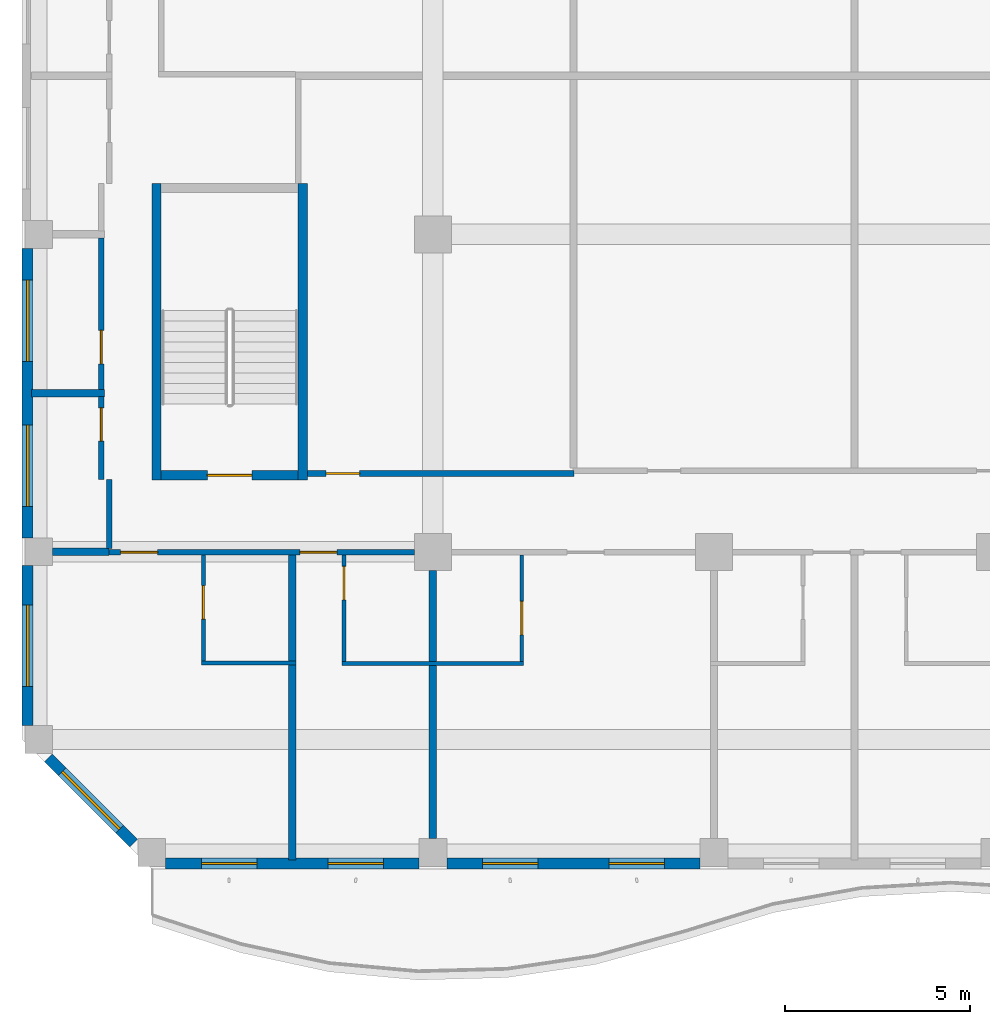
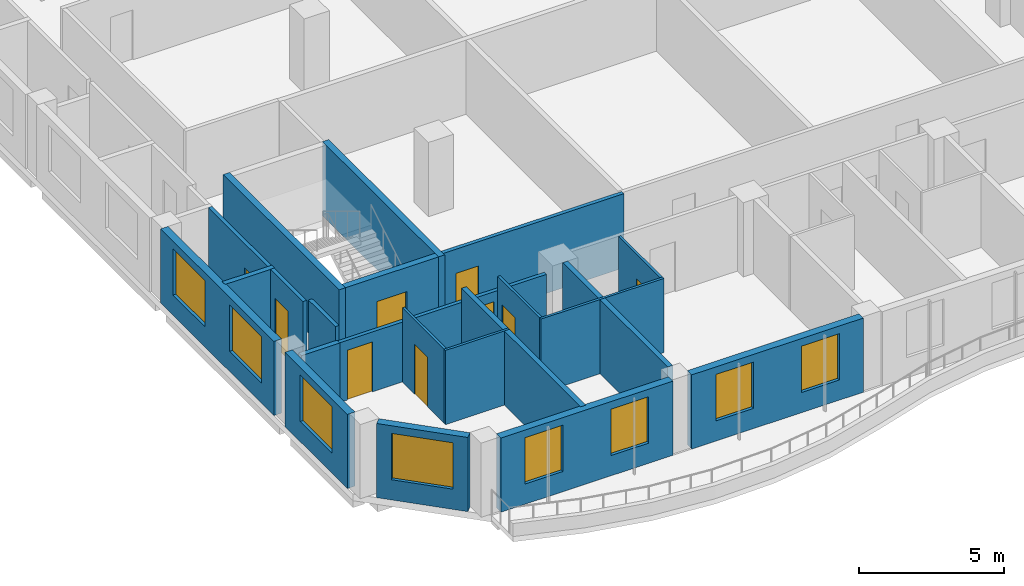
# One storey, part 2 of 22: 24 walls, 9 doors, 8 windows, 17 openings.
"""IFC4 building model written with IfcOpenShell, lengths in metres."""

import ifcopenshell
import ifcopenshell.guid

model = None  # the IFC model being written
_history = None  # IfcOwnerHistory: only IFC2X3 demands one
_inside = {}  # id of a spatial element -> (the spatial element, [elements in it])
_under = {}  # id of a project, library or spatial element -> (it, [spatial elements below it])
_declared = {}  # id of a project -> (the project, [libraries it declares])
_typed = {}  # id of a type object -> (the type object, [elements of that type])
_made_of = {}  # id of a material, layer set ... -> (it, [elements and type objects made of it])


def new_model(schema):
    """Start an empty IFC model of exactly this schema.

    Asked for "IFC4X3", IfcOpenShell would pick the latest addendum, in which some entities
    have other attributes; the version numbers below select the first issue.
    IFC2X3 requires an IfcOwnerHistory on every rooted entity: one is made here for all.
    """
    global model, _history
    if schema == "IFC4X3":
        model = ifcopenshell.file(schema_version=(4, 3, 0, 0))
    else:
        model = ifcopenshell.file(schema=schema)
    _inside.clear()
    _under.clear()
    _declared.clear()
    _typed.clear()
    _made_of.clear()
    _history = None
    if model.schema == "IFC2X3":
        org = make("IfcOrganization", Name="unknown")
        user = make(
            "IfcPersonAndOrganization",
            ThePerson=make("IfcPerson", FamilyName="unknown"),
            TheOrganization=org,
        )
        app = make(
            "IfcApplication",
            ApplicationDeveloper=org,
            Version="unknown",
            ApplicationFullName="unknown",
            ApplicationIdentifier="unknown",
        )
        _history = make(
            "IfcOwnerHistory",
            OwningUser=user,
            OwningApplication=app,
            ChangeAction="ADDED",
            CreationDate=0,
        )
    return model


def make(cls, **values):
    """One entity of the class cls with the attributes given. An attribute that is None is left unset."""
    return model.create_entity(
        cls, **{name: value for name, value in values.items() if value is not None}
    )


def rooted(cls, **values):
    """An entity with a GlobalId (a new one), such as an element, a storey or a relation."""
    return make(cls, GlobalId=ifcopenshell.guid.new(), OwnerHistory=_history, **values)


def si_unit(unit_type, name, prefix=None):
    """IfcSIUnit, for example si_unit("LENGTHUNIT", "METRE", prefix="MILLI")."""
    return make("IfcSIUnit", UnitType=unit_type, Prefix=prefix, Name=name)


def assignment(units):
    """IfcUnitAssignment: the units of a project."""
    return None if units is None else make("IfcUnitAssignment", Units=units)


def point(xyz):
    """IfcCartesianPoint."""
    return None if xyz is None else make("IfcCartesianPoint", Coordinates=xyz)


def direction(xyz):
    """IfcDirection."""
    return None if xyz is None else make("IfcDirection", DirectionRatios=xyz)


def frame(location, z_axis=None, x_axis=None):
    """IfcAxis2Placement3D, a coordinate frame: its origin and axes. An axis left out is left unset."""
    return make(
        "IfcAxis2Placement3D",
        Location=point(location),
        Axis=direction(z_axis),
        RefDirection=direction(x_axis),
    )


def frame_2d(location, x_axis=None):
    """IfcAxis2Placement2D, a coordinate frame in the plane: its origin and x axis."""
    return make(
        "IfcAxis2Placement2D", Location=point(location), RefDirection=direction(x_axis)
    )


def origin():
    """The frame at (0, 0, 0) with its axes left unset."""
    return frame((0.0, 0.0, 0.0))


def place(relative_to, where):
    """IfcLocalPlacement: puts the frame where relative to a parent placement (None: the world)."""
    return make(
        "IfcLocalPlacement", PlacementRelTo=relative_to, RelativePlacement=where
    )


def context(
    kind, dimensions, precision=None, world=None, true_north=None, identifier=None
):
    """IfcGeometricRepresentationContext, for example the 3D "Model" context."""
    return make(
        "IfcGeometricRepresentationContext",
        ContextIdentifier=identifier,
        ContextType=kind,
        CoordinateSpaceDimension=dimensions,
        Precision=precision,
        WorldCoordinateSystem=world,
        TrueNorth=true_north,
    )


def subcontext(parent, identifier, kind, view, scale=None):
    """IfcGeometricRepresentationSubContext, for example "Body" below "Model"."""
    return make(
        "IfcGeometricRepresentationSubContext",
        ContextIdentifier=identifier,
        ContextType=kind,
        ParentContext=parent,
        TargetScale=scale,
        TargetView=view,
    )


def project(units=None, contexts=None):
    """IfcProject with its units and contexts."""
    return rooted(
        "IfcProject",
        Name="project",
        RepresentationContexts=contexts,
        UnitsInContext=assignment(units),
    )


def spatial(cls, under=None, at=None, **own):
    """A site, building, storey or space (cls), placed at a placement, below another one or the project."""
    s = rooted(cls, ObjectPlacement=at, **own)
    if under is not None:
        _under.setdefault(under.id(), (under, []))[1].append(s)
    return s


def profile(cls, at=None, kind="AREA", **sizes):
    """A parametric profile (cls). Its sizes go by their IFC names, for example OverallWidth=200.0."""
    return make(cls, ProfileType=kind, Position=at, **sizes)


def rectangle(**sizes):
    """IfcRectangleProfileDef."""
    return profile("IfcRectangleProfileDef", **sizes)


def extrude(swept, where, along, depth):
    """IfcExtrudedAreaSolid: the profile swept, set in the frame where, extruded along a direction by depth."""
    return make(
        "IfcExtrudedAreaSolid",
        SweptArea=swept,
        Position=where,
        ExtrudedDirection=direction(along),
        Depth=depth,
    )


def shape(context_of_items, identifier, shape_type, items):
    """IfcShapeRepresentation: the items that make up one representation, for example the "Body"."""
    return make(
        "IfcShapeRepresentation",
        ContextOfItems=context_of_items,
        RepresentationIdentifier=identifier,
        RepresentationType=shape_type,
        Items=items,
    )


def source(mapping_origin, context_of_items, identifier, shape_type, items):
    """IfcRepresentationMap: a shape defined once, which mapped items show again and again."""
    return make(
        "IfcRepresentationMap",
        MappingOrigin=mapping_origin,
        MappedRepresentation=shape(context_of_items, identifier, shape_type, items),
    )


def transform(
    local_origin,
    x_axis=None,
    y_axis=None,
    z_axis=None,
    scale=None,
    scale2=None,
    scale3=None,
    uniform=True,
):
    """IfcCartesianTransformationOperator3D, or its non-uniform kind. x_axis, y_axis, z_axis: its Axis1, 2, 3."""
    if uniform:
        return make(
            "IfcCartesianTransformationOperator3D",
            Axis1=direction(x_axis),
            Axis2=direction(y_axis),
            LocalOrigin=point(local_origin),
            Scale=scale,
            Axis3=direction(z_axis),
        )
    return make(
        "IfcCartesianTransformationOperator3DnonUniform",
        Axis1=direction(x_axis),
        Axis2=direction(y_axis),
        LocalOrigin=point(local_origin),
        Scale=scale,
        Axis3=direction(z_axis),
        Scale2=scale2,
        Scale3=scale3,
    )


def mapped(mapping_source, mapping_target):
    """IfcMappedItem: shows the shape of a source again, moved by a transform."""
    return make(
        "IfcMappedItem", MappingSource=mapping_source, MappingTarget=mapping_target
    )


def material(Name=None, Category=None):
    """IfcMaterial."""
    return make("IfcMaterial", Name=Name, Category=Category)


def layer(
    of_material, thickness, ventilated=None, Name=None, Category=None, Priority=None
):
    """IfcMaterialLayer: one layer of a wall or slab, of a material (None: an air gap)."""
    return make(
        "IfcMaterialLayer",
        Material=of_material,
        LayerThickness=thickness,
        IsVentilated=ventilated,
        Name=Name,
        Category=Category,
        Priority=Priority,
    )


def layer_set(layers, Name=None):
    """IfcMaterialLayerSet."""
    return make("IfcMaterialLayerSet", MaterialLayers=layers, LayerSetName=Name)


def made_of(thing, what):
    """Note that an element or type object is made of a material, layer set ...; save() writes the relation."""
    if what is not None:
        _made_of.setdefault(what.id(), (what, []))[1].append(thing)
    return thing


def type_object(cls, material=None, **own):
    """A type object (cls), such as IfcWallType, which elements share."""
    return made_of(rooted(cls, **own), material)


def element(
    cls,
    number,
    at=None,
    inside=None,
    cuts=None,
    type_object=None,
    material=None,
    context=None,
    identifier="Body",
    shape_type=None,
    held_by="IfcProductDefinitionShape",
    body=None,
    shapes=None,
    **own,
):
    """One element of the class cls, such as IfcWall. Its Tag is "e" and its number.

    at: its placement. inside: the storey or other place that contains it. cuts: it is an
    opening in that element (IfcRelVoidsElement). A single representation is given by context,
    identifier, shape_type and body (its items); several are given by shapes. held_by: the class
    of the entity that holds the representations. save() writes the other relations.
    """
    e = rooted(cls, Tag="e%d" % number, ObjectPlacement=at, **own)
    if body is not None:
        shapes = [shape(context, identifier, shape_type, body)]
    if shapes is not None:
        e.Representation = make(held_by, Representations=shapes)
    if inside is not None:
        _inside.setdefault(inside.id(), (inside, []))[1].append(e)
    if cuts is not None:
        rooted(
            "IfcRelVoidsElement", RelatingBuildingElement=cuts, RelatedOpeningElement=e
        )
    if type_object is not None:
        _typed.setdefault(type_object.id(), (type_object, []))[1].append(e)
    return made_of(e, material)


def fill(opening, filler):
    """IfcRelFillsElement: the door or window that sits in an opening."""
    return rooted(
        "IfcRelFillsElement",
        RelatingOpeningElement=opening,
        RelatedBuildingElement=filler,
    )


def aggregate(whole, parts):
    """IfcRelAggregates: a whole, such as a stair, and the parts it consists of."""
    return rooted("IfcRelAggregates", RelatingObject=whole, RelatedObjects=parts)


def save(model, path):
    """Write the relations noted so far, then the file.

    IfcRelAggregates (storeys below a building ...), IfcRelContainedInSpatialStructure (elements
    in a storey), IfcRelDefinesByType, IfcRelAssociatesMaterial and IfcRelDeclares: one each for
    every whole, place, type object, material and project.
    """
    for whole, parts in _under.values():
        aggregate(whole, parts)
    for where, things in _inside.values():
        rooted(
            "IfcRelContainedInSpatialStructure",
            RelatedElements=things,
            RelatingStructure=where,
        )
    for kind, things in _typed.values():
        rooted("IfcRelDefinesByType", RelatedObjects=things, RelatingType=kind)
    for what, things in _made_of.values():
        rooted("IfcRelAssociatesMaterial", RelatedObjects=things, RelatingMaterial=what)
    for by, libraries in _declared.values():
        rooted("IfcRelDeclares", RelatingContext=by, RelatedDefinitions=libraries)
    model.write(path)


model = new_model("IFC4")

# Units and contexts
model_context = context("Model", 3, precision=1e-05, world=origin(), true_north=direction((0.0, 1.0)))
body_context = subcontext(model_context, "Body", "Model", "MODEL_VIEW")
ifc_project = project(units=[si_unit("LENGTHUNIT", "METRE"), si_unit("AREAUNIT", "SQUARE_METRE"), si_unit("VOLUMEUNIT", "CUBIC_METRE"), si_unit("PLANEANGLEUNIT", "RADIAN"), si_unit("MASSUNIT", "GRAM", prefix="KILO")], contexts=[model_context])

# Site, building, storey
site_placement = place(None, origin())
site = spatial("IfcSite", under=ifc_project, at=site_placement, CompositionType="ELEMENT")
building_placement = place(site_placement, origin())
building = spatial("IfcBuilding", under=site, at=building_placement, Name="Kilnfold Tower and Market Hall", CompositionType="ELEMENT")
storey_placement = place(building_placement, frame((0.0, 0.0, 213.5)))
storey = spatial("IfcBuildingStorey", under=building, at=storey_placement, Name="L52", CompositionType="ELEMENT", Elevation=213.5)

# Wall, openings, doors
ifc_material_1 = material(Name="Gypsum board on steel studs", Category="steel")
ifc_layer_1 = layer(ifc_material_1, 0.14990234375)
ifc_layer_set_1 = layer_set([ifc_layer_1], Name="Gypsum board on steel studs")
wall_type_1 = type_object("IfcWallType", Name="WALL CORRIDOR 150", PredefinedType="PARTITIONING", material=ifc_layer_set_1)
wall_1_placement = place(storey_placement, frame((-18.89990234375, -17.699951171875, 0.0), z_axis=(0.0, 0.0, 1.0), x_axis=(1.0, 0.0, 0.0)))
wall_1 = element("IfcWall", 1, at=wall_1_placement, inside=storey, type_object=wall_type_1, Name="Partition LY31.1", PredefinedType="PARTITIONING", context=body_context, shape_type="SweptSolid", body=[
    extrude(rectangle(XDim=8.23291015625, YDim=0.14990234375, at=frame_2d((4.116455078125, 0.0))), origin(), (0.0, 0.0, 1.0), 2.52001953125),
])
opening_1_placement = place(wall_1_placement, frame((0.304931640625, 0.0, 0.0)))
opening_1 = element("IfcOpeningElement", 2, at=opening_1_placement, cuts=wall_1, Name="Opening D1", PredefinedType="OPENING", context=body_context, shape_type="SweptSolid", body=[
    extrude(rectangle(XDim=1.0, YDim=2.10009765625, at=frame_2d((0.5, 1.050048828125))), frame((0.0, 0.0849609375, 0.0), z_axis=(0.0, -1.0, 0.0), x_axis=(1.0, 0.0, 0.0)), (0.0, 0.0, 1.0), 0.169921875),
])
opening_2_placement = place(wall_1_placement, frame((5.14306640625, 0.0, 0.0)))
opening_2 = element("IfcOpeningElement", 3, at=opening_2_placement, cuts=wall_1, Name="Opening D1", PredefinedType="OPENING", context=body_context, shape_type="SweptSolid", body=[
    extrude(rectangle(XDim=1.0, YDim=2.10009765625, at=frame_2d((0.5, 1.050048828125))), frame((0.0, 0.0849609375, 0.0), z_axis=(0.0, -1.0, 0.0), x_axis=(1.0, 0.0, 0.0)), (0.0, 0.0, 1.0), 0.169921875),
])
ifc_material_2 = material(Name="Timber veneer door leaf in steel frame", Category="steel")
door_type_1 = type_object("IfcDoorType", Name="DOOR ENTRY 1000 X2100", OperationType="NOTDEFINED", PredefinedType="DOOR", material=ifc_material_2)
door_1_placement = place(opening_1_placement, origin())
door_1 = element("IfcDoor", 4, at=door_1_placement, inside=storey, type_object=door_type_1, Name="Door D1", OperationType="SINGLE_SWING_RIGHT", OverallHeight=2.10009765625, OverallWidth=1.0, PredefinedType="DOOR", context=body_context, shape_type="SweptSolid", body=[
    extrude(rectangle(XDim=1.0, YDim=2.10009765625, at=frame_2d((0.5, 1.050048828125))), frame((0.0, 0.02490234375, 0.0), z_axis=(0.0, -1.0, 0.0), x_axis=(1.0, 0.0, 0.0)), (0.0, 0.0, 1.0), 0.050048828125),
])
fill(opening_1, door_1)
door_2_placement = place(opening_2_placement, origin())
door_2 = element("IfcDoor", 5, at=door_2_placement, inside=storey, type_object=door_type_1, Name="Door D1", OperationType="SINGLE_SWING_RIGHT", OverallHeight=2.10009765625, OverallWidth=1.0, PredefinedType="DOOR", context=body_context, shape_type="SweptSolid", body=[
    extrude(rectangle(XDim=1.0, YDim=2.10009765625, at=frame_2d((0.5, 1.050048828125))), frame((0.0, 0.02490234375, 0.0), z_axis=(0.0, -1.0, 0.0), x_axis=(1.0, 0.0, 0.0)), (0.0, 0.0, 1.0), 0.050048828125),
])
fill(opening_2, door_2)

# Wall
wall_2_placement = place(storey_placement, frame((-18.89990234375, -17.597900390625, 0.0), z_axis=(0.0, 0.0, 1.0), x_axis=(0.0, 1.0, 0.0)))
element("IfcWall", 6, at=wall_2_placement, inside=storey, type_object=wall_type_1, Name="Partition LY31.9", PredefinedType="PARTITIONING", context=body_context, shape_type="SweptSolid", body=[
    extrude(rectangle(XDim=1.85498046875, YDim=0.14990234375, at=frame_2d((0.927490234375, 0.0))), origin(), (0.0, 0.0, 1.0), 3.1201171875),
])

# Wall, opening, door
wall_3_placement = place(storey_placement, frame((-19.113037109375, -15.742919921875, 0.0), z_axis=(0.0, 0.0, 1.0), x_axis=(0.0, 1.0, 0.0)))
wall_3 = element("IfcWall", 7, at=wall_3_placement, inside=storey, type_object=wall_type_1, Name="Partition LY31.10", PredefinedType="PARTITIONING", context=body_context, shape_type="SweptSolid", body=[
    extrude(rectangle(XDim=2.246826171875, YDim=0.14990234375, at=frame_2d((1.12353515625, 0.0))), origin(), (0.0, 0.0, 1.0), 3.1201171875),
])
opening_3_placement = place(wall_3_placement, frame((1.0419921875, 0.0, 0.0)))
opening_3 = element("IfcOpeningElement", 8, at=opening_3_placement, cuts=wall_3, Name="Opening D2", PredefinedType="OPENING", context=body_context, shape_type="SweptSolid", body=[
    extrude(rectangle(XDim=0.89990234375, YDim=2.10009765625, at=frame_2d((0.449951171875, 1.050048828125))), frame((0.0, 0.0849609375, 0.0), z_axis=(0.0, -1.0, 0.0), x_axis=(1.0, 0.0, 0.0)), (0.0, 0.0, 1.0), 0.169921875),
])
ifc_material_3 = material(Name="Timber veneer door leaf in steel frame", Category="steel")
door_type_2 = type_object("IfcDoorType", Name="DOOR ROOM 900 X2100", OperationType="NOTDEFINED", PredefinedType="DOOR", material=ifc_material_3)
door_3_placement = place(opening_3_placement, origin())
door_3 = element("IfcDoor", 9, at=door_3_placement, inside=storey, type_object=door_type_2, Name="Door D2", OperationType="SINGLE_SWING_RIGHT", OverallHeight=2.10009765625, OverallWidth=0.89990234375, PredefinedType="DOOR", context=body_context, shape_type="SweptSolid", body=[
    extrude(rectangle(XDim=0.89990234375, YDim=2.10009765625, at=frame_2d((0.449951171875, 1.050048828125))), frame((0.0, 0.02490234375, 0.0), z_axis=(0.0, -1.0, 0.0), x_axis=(1.0, 0.0, 0.0)), (0.0, 0.0, 1.0), 0.050048828125),
])
fill(opening_3, door_3)

wall_4_placement = place(storey_placement, frame((-19.113037109375, -13.31591796875, 0.0), z_axis=(0.0, 0.0, 1.0), x_axis=(0.0, 1.0, 0.0)))
wall_4 = element("IfcWall", 10, at=wall_4_placement, inside=storey, type_object=wall_type_1, Name="Partition LY31.11", PredefinedType="PARTITIONING", context=body_context, shape_type="SweptSolid", body=[
    extrude(rectangle(XDim=4.100830078125, YDim=0.14990234375, at=frame_2d((2.05029296875, 0.0))), origin(), (0.0, 0.0, 1.0), 3.1201171875),
])
opening_4_placement = place(wall_4_placement, frame((0.699951171875, 0.0, 0.0)))
opening_4 = element("IfcOpeningElement", 11, at=opening_4_placement, cuts=wall_4, Name="Opening D2", PredefinedType="OPENING", context=body_context, shape_type="SweptSolid", body=[
    extrude(rectangle(XDim=0.89990234375, YDim=2.10009765625, at=frame_2d((0.449951171875, 1.050048828125))), frame((0.0, 0.0849609375, 0.0), z_axis=(0.0, -1.0, 0.0), x_axis=(1.0, 0.0, 0.0)), (0.0, 0.0, 1.0), 0.169921875),
])
door_4_placement = place(opening_4_placement, origin())
door_4 = element("IfcDoor", 12, at=door_4_placement, inside=storey, type_object=door_type_2, Name="Door D2", OperationType="SINGLE_SWING_RIGHT", OverallHeight=2.10009765625, OverallWidth=0.89990234375, PredefinedType="DOOR", context=body_context, shape_type="SweptSolid", body=[
    extrude(rectangle(XDim=0.89990234375, YDim=2.10009765625, at=frame_2d((0.449951171875, 1.050048828125))), frame((0.0, 0.02490234375, 0.0), z_axis=(0.0, -1.0, 0.0), x_axis=(1.0, 0.0, 0.0)), (0.0, 0.0, 1.0), 0.050048828125),
])
fill(opening_4, door_4)

wall_5_placement = place(storey_placement, frame((-6.364990234375, -15.574951171875, 0.0), z_axis=(0.0, 0.0, 1.0), x_axis=(-1.0, 0.0, 0.0)))
wall_5 = element("IfcWall", 13, at=wall_5_placement, inside=storey, type_object=wall_type_1, Name="Partition LY31.39", PredefinedType="PARTITIONING", context=body_context, shape_type="SweptSolid", body=[
    extrude(rectangle(XDim=7.18505859375, YDim=0.14990234375, at=frame_2d((3.592529296875, 0.0))), origin(), (0.0, 0.0, 1.0), 3.1201171875),
])
opening_5_placement = place(wall_5_placement, frame((5.781005859375, 0.0, 0.0)))
opening_5 = element("IfcOpeningElement", 14, at=opening_5_placement, cuts=wall_5, Name="Opening D2", PredefinedType="OPENING", context=body_context, shape_type="SweptSolid", body=[
    extrude(rectangle(XDim=0.89990234375, YDim=2.10009765625, at=frame_2d((0.449951171875, 1.050048828125))), frame((0.0, 0.0849609375, 0.0), z_axis=(0.0, -1.0, 0.0), x_axis=(1.0, 0.0, 0.0)), (0.0, 0.0, 1.0), 0.169921875),
])
door_5_placement = place(opening_5_placement, origin())
door_5 = element("IfcDoor", 15, at=door_5_placement, inside=storey, type_object=door_type_2, Name="Door D2", OperationType="SINGLE_SWING_RIGHT", OverallHeight=2.10009765625, OverallWidth=0.89990234375, PredefinedType="DOOR", context=body_context, shape_type="SweptSolid", body=[
    extrude(rectangle(XDim=0.89990234375, YDim=2.10009765625, at=frame_2d((0.449951171875, 1.050048828125))), frame((0.0, 0.02490234375, 0.0), z_axis=(0.0, -1.0, 0.0), x_axis=(1.0, 0.0, 0.0)), (0.0, 0.0, 1.0), 0.050048828125),
])
fill(opening_5, door_5)

ifc_material_4 = material(Name="Gypsum board on steel studs", Category="steel")
ifc_layer_2 = layer(ifc_material_4, 0.10009765625)
ifc_layer_set_2 = layer_set([ifc_layer_2], Name="Gypsum board on steel studs")
wall_type_2 = type_object("IfcWallType", Name="WALL PARTITION 100", PredefinedType="PARTITIONING", material=ifc_layer_set_2)
wall_6_placement = place(storey_placement, frame((-16.35888671875, -20.637939453125, 0.0), z_axis=(0.0, 0.0, 1.0), x_axis=(0.0, 1.0, 0.0)))
wall_6 = element("IfcWall", 16, at=wall_6_placement, inside=storey, type_object=wall_type_2, Name="Partition LY31.42", PredefinedType="PARTITIONING", context=body_context, shape_type="SweptSolid", body=[
    extrude(rectangle(XDim=2.86083984375, YDim=0.10009765625, at=frame_2d((1.430419921875, 0.0))), origin(), (0.0, 0.0, 1.0), 3.1201171875),
])
opening_6_placement = place(wall_6_placement, frame((1.136962890625, 0.0, 0.0)))
opening_6 = element("IfcOpeningElement", 17, at=opening_6_placement, cuts=wall_6, Name="Opening D3", PredefinedType="OPENING", context=body_context, shape_type="SweptSolid", body=[
    extrude(rectangle(XDim=0.89990234375, YDim=2.10009765625, at=frame_2d((0.449951171875, 1.050048828125))), frame((0.0, 0.06005859375, 0.0), z_axis=(0.0, -1.0, 0.0), x_axis=(1.0, 0.0, 0.0)), (0.0, 0.0, 1.0), 0.1201171875),
])
ifc_material_5 = material(Name="Timber veneer door leaf in steel frame", Category="steel")
door_type_3 = type_object("IfcDoorType", Name="DOOR WC 900 X2100", OperationType="NOTDEFINED", PredefinedType="DOOR", material=ifc_material_5)
door_6_placement = place(opening_6_placement, origin())
door_6 = element("IfcDoor", 18, at=door_6_placement, inside=storey, type_object=door_type_3, Name="Door D3", OperationType="SINGLE_SWING_RIGHT", OverallHeight=2.10009765625, OverallWidth=0.89990234375, PredefinedType="DOOR", context=body_context, shape_type="SweptSolid", body=[
    extrude(rectangle(XDim=0.89990234375, YDim=2.10009765625, at=frame_2d((0.449951171875, 1.050048828125))), frame((0.0, 0.02490234375, 0.0), z_axis=(0.0, -1.0, 0.0), x_axis=(1.0, 0.0, 0.0)), (0.0, 0.0, 1.0), 0.050048828125),
])
fill(opening_6, door_6)

# Wall
wall_7_placement = place(storey_placement, frame((-16.408935546875, -20.68798828125, 0.0), z_axis=(0.0, 0.0, 1.0), x_axis=(1.0, 0.0, 0.0)))
element("IfcWall", 19, at=wall_7_placement, inside=storey, type_object=wall_type_2, Name="Partition LY31.43", PredefinedType="PARTITIONING", context=body_context, shape_type="SweptSolid", body=[
    extrude(rectangle(XDim=2.550048828125, YDim=0.10009765625, at=frame_2d((1.27490234375, 0.0))), origin(), (0.0, 0.0, 1.0), 3.1201171875),
])

# Wall, opening, door
wall_8_placement = place(storey_placement, frame((-12.56689453125, -20.652099609375, 0.0), z_axis=(0.0, 0.0, 1.0), x_axis=(0.0, 1.0, 0.0)))
wall_8 = element("IfcWall", 20, at=wall_8_placement, inside=storey, type_object=wall_type_2, Name="Partition LY31.47", PredefinedType="PARTITIONING", context=body_context, shape_type="SweptSolid", body=[
    extrude(rectangle(XDim=2.875, YDim=0.10009765625, at=frame_2d((1.4375, 0.0))), origin(), (0.0, 0.0, 1.0), 3.1201171875),
])
opening_7_placement = place(wall_8_placement, frame((1.669921875, 0.0, 0.0)))
opening_7 = element("IfcOpeningElement", 21, at=opening_7_placement, cuts=wall_8, Name="Opening D3", PredefinedType="OPENING", context=body_context, shape_type="SweptSolid", body=[
    extrude(rectangle(XDim=0.89990234375, YDim=2.10009765625, at=frame_2d((0.449951171875, 1.050048828125))), frame((0.0, 0.06005859375, 0.0), z_axis=(0.0, -1.0, 0.0), x_axis=(1.0, 0.0, 0.0)), (0.0, 0.0, 1.0), 0.1201171875),
])
door_7_placement = place(opening_7_placement, origin())
door_7 = element("IfcDoor", 22, at=door_7_placement, inside=storey, type_object=door_type_3, Name="Door D3", OperationType="SINGLE_SWING_LEFT", OverallHeight=2.10009765625, OverallWidth=0.89990234375, PredefinedType="DOOR", context=body_context, shape_type="SweptSolid", body=[
    extrude(rectangle(XDim=0.89990234375, YDim=2.10009765625, at=frame_2d((0.449951171875, 1.050048828125))), frame((0.0, 0.02490234375, 0.0), z_axis=(0.0, -1.0, 0.0), x_axis=(1.0, 0.0, 0.0)), (0.0, 0.0, 1.0), 0.050048828125),
])
fill(opening_7, door_7)

# Wall
wall_9_placement = place(storey_placement, frame((-12.616943359375, -20.701904296875, 0.0), z_axis=(0.0, 0.0, 1.0), x_axis=(1.0, 0.0, 0.0)))
element("IfcWall", 23, at=wall_9_placement, inside=storey, type_object=wall_type_2, Name="Partition LY31.48", PredefinedType="PARTITIONING", context=body_context, shape_type="SweptSolid", body=[
    extrude(rectangle(XDim=4.89990234375, YDim=0.10009765625, at=frame_2d((2.449951171875, 0.0))), origin(), (0.0, 0.0, 1.0), 3.1201171875),
])

# Wall, opening, door
wall_10_placement = place(storey_placement, frame((-7.76708984375, -17.777099609375, 0.0), z_axis=(0.0, 0.0, 1.0), x_axis=(0.0, -1.0, 0.0)))
wall_10 = element("IfcWall", 24, at=wall_10_placement, inside=storey, type_object=wall_type_2, Name="Partition LY31.51", PredefinedType="PARTITIONING", context=body_context, shape_type="SweptSolid", body=[
    extrude(rectangle(XDim=2.875, YDim=0.10009765625, at=frame_2d((1.4375, 0.0))), origin(), (0.0, 0.0, 1.0), 3.1201171875),
])
opening_8_placement = place(wall_10_placement, frame((1.25, 0.0, 0.0)))
opening_8 = element("IfcOpeningElement", 25, at=opening_8_placement, cuts=wall_10, Name="Opening D3", PredefinedType="OPENING", context=body_context, shape_type="SweptSolid", body=[
    extrude(rectangle(XDim=0.89990234375, YDim=2.10009765625, at=frame_2d((0.449951171875, 1.050048828125))), frame((0.0, 0.06005859375, 0.0), z_axis=(0.0, -1.0, 0.0), x_axis=(1.0, 0.0, 0.0)), (0.0, 0.0, 1.0), 0.1201171875),
])
door_8_placement = place(opening_8_placement, origin())
door_8 = element("IfcDoor", 26, at=door_8_placement, inside=storey, type_object=door_type_3, Name="Door D3", OperationType="SINGLE_SWING_LEFT", OverallHeight=2.10009765625, OverallWidth=0.89990234375, PredefinedType="DOOR", context=body_context, shape_type="SweptSolid", body=[
    extrude(rectangle(XDim=0.89990234375, YDim=2.10009765625, at=frame_2d((0.449951171875, 1.050048828125))), frame((0.0, 0.02490234375, 0.0), z_axis=(0.0, -1.0, 0.0), x_axis=(1.0, 0.0, 0.0)), (0.0, 0.0, 1.0), 0.050048828125),
])
fill(opening_8, door_8)

# Walls
ifc_material_6 = material(Name="Gypsum board on steel studs", Category="steel")
ifc_layer_3 = layer(ifc_material_6, 0.199951171875)
ifc_layer_set_3 = layer_set([ifc_layer_3], Name="Gypsum board on steel studs")
wall_type_3 = type_object("IfcWallType", Name="WALL PARTY 200", PredefinedType="PARTITIONING", material=ifc_layer_set_3)
wall_11_placement = place(storey_placement, frame((-13.958984375, -26.0, 0.0), z_axis=(0.0, 0.0, 1.0), x_axis=(0.0, 1.0, 0.0)))
element("IfcWall", 27, at=wall_11_placement, inside=storey, type_object=wall_type_3, Name="Partition LY31.44", PredefinedType="PARTITIONING", context=body_context, shape_type="SweptSolid", body=[
    extrude(rectangle(XDim=5.261962890625, YDim=0.199951171875, at=frame_2d((2.630859375, 0.0))), origin(), (0.0, 0.0, 1.0), 3.1201171875),
])
wall_12_placement = place(storey_placement, frame((-20.425048828125, -17.68798828125, 0.0), z_axis=(0.0, 0.0, 1.0), x_axis=(1.0, 0.0, 0.0)))
element("IfcWall", 28, at=wall_12_placement, inside=storey, type_object=wall_type_3, Name="Partition LY31.45", PredefinedType="PARTITIONING", context=body_context, shape_type="SweptSolid", body=[
    extrude(rectangle(XDim=1.52294921875, YDim=0.199951171875, at=frame_2d((0.761474609375, 0.0))), origin(), (0.0, 0.0, 1.0), 2.52001953125),
])
wall_13_placement = place(storey_placement, frame((-13.958984375, -20.637939453125, 0.0), z_axis=(0.0, 0.0, 1.0), x_axis=(0.0, 1.0, 0.0)))
element("IfcWall", 29, at=wall_13_placement, inside=storey, type_object=wall_type_3, Name="Partition LY31.46", PredefinedType="PARTITIONING", context=body_context, shape_type="SweptSolid", body=[
    extrude(rectangle(XDim=2.86083984375, YDim=0.199951171875, at=frame_2d((1.430419921875, 0.0))), origin(), (0.0, 0.0, 1.0), 3.1201171875),
])
wall_14_placement = place(storey_placement, frame((-10.1669921875, -25.425048828125, 0.0), z_axis=(0.0, 0.0, 1.0), x_axis=(0.0, 1.0, 0.0)))
element("IfcWall", 30, at=wall_14_placement, inside=storey, type_object=wall_type_3, Name="Partition LY31.49", PredefinedType="PARTITIONING", context=body_context, shape_type="SweptSolid", body=[
    extrude(rectangle(XDim=4.673095703125, YDim=0.199951171875, at=frame_2d((2.33642578125, 0.0))), origin(), (0.0, 0.0, 1.0), 3.1201171875),
])
wall_15_placement = place(storey_placement, frame((-10.1669921875, -20.652099609375, 0.0), z_axis=(0.0, 0.0, 1.0), x_axis=(0.0, 1.0, 0.0)))
element("IfcWall", 31, at=wall_15_placement, inside=storey, type_object=wall_type_3, Name="Partition LY31.50", PredefinedType="PARTITIONING", context=body_context, shape_type="SweptSolid", body=[
    extrude(rectangle(XDim=2.464111328125, YDim=0.199951171875, at=frame_2d((1.23193359375, 0.0))), origin(), (0.0, 0.0, 1.0), 3.1201171875),
])
wall_16_placement = place(storey_placement, frame((-19.027099609375, -13.406005859375, 0.0), z_axis=(0.0, 0.0, 1.0), x_axis=(-1.0, 0.0, 0.0)))
element("IfcWall", 32, at=wall_16_placement, inside=storey, type_object=wall_type_3, Name="Partition LY31.79", PredefinedType="PARTITIONING", context=body_context, shape_type="SweptSolid", body=[
    extrude(rectangle(XDim=1.972900390625, YDim=0.199951171875, at=frame_2d((0.986328125, 0.0))), origin(), (0.0, 0.0, 1.0), 3.1201171875),
])

# Wall, opening, door
ifc_material_7 = material(Name="Concrete C60", Category="concrete")
ifc_layer_4 = layer(ifc_material_7, 0.25)
ifc_layer_set_4 = layer_set([ifc_layer_4], Name="Concrete C60")
wall_type_4 = type_object("IfcWallType", Name="CORE WALL 250 C60", PredefinedType="SHEAR", material=ifc_layer_set_4)
shared_shape_1 = source(origin(), body_context, "Body", "SweptSolid", [
    extrude(rectangle(XDim=3.699951171875, YDim=0.25, at=frame_2d((1.85009765625, 0.0))), origin(), (0.0, 0.0, 1.0), 3.1201171875),
])
wall_17_placement = place(storey_placement, frame((-17.5, -15.625, 0.0), z_axis=(0.0, 0.0, 1.0), x_axis=(1.0, 0.0, 0.0)))
wall_17 = element("IfcWall", 33, at=wall_17_placement, inside=storey, type_object=wall_type_4, Name="Stair enclosure ST3", PredefinedType="SHEAR", context=body_context, shape_type="MappedRepresentation", body=[
    mapped(shared_shape_1, transform((0.0, 0.0, 0.0))),
])
opening_9_placement = place(wall_17_placement, frame((1.25, 0.0, 0.0)))
opening_9 = element("IfcOpeningElement", 34, at=opening_9_placement, cuts=wall_17, Name="Opening SD1", PredefinedType="OPENING", context=body_context, shape_type="SweptSolid", body=[
    extrude(rectangle(XDim=1.199951171875, YDim=2.10009765625, at=frame_2d((0.60009765625, 1.050048828125))), frame((0.0, 0.135009765625, 0.0), z_axis=(0.0, -1.0, 0.0), x_axis=(1.0, 0.0, 0.0)), (0.0, 0.0, 1.0), 0.27001953125),
])
ifc_material_8 = material(Name="Steel door set with fire-resisting leaf", Category="steel")
door_type_4 = type_object("IfcDoorType", Name="STAIR FLOOR DOOR 1200X2100", OperationType="NOTDEFINED", PredefinedType="DOOR", material=ifc_material_8)
door_9_placement = place(opening_9_placement, origin())
door_9 = element("IfcDoor", 35, at=door_9_placement, inside=storey, type_object=door_type_4, Name="Exit stair ST3 door", OperationType="DOUBLE_DOOR_SINGLE_SWING", OverallHeight=2.10009765625, OverallWidth=1.199951171875, PredefinedType="DOOR", context=body_context, shape_type="SweptSolid", body=[
    extrude(rectangle(XDim=1.199951171875, YDim=2.10009765625, at=frame_2d((0.60009765625, 1.050048828125))), frame((0.0, 0.02490234375, 0.0), z_axis=(0.0, -1.0, 0.0), x_axis=(1.0, 0.0, 0.0)), (0.0, 0.0, 1.0), 0.050048828125),
])
fill(opening_9, door_9)

# Walls
shared_shape_2 = source(origin(), body_context, "Body", "SweptSolid", [
    extrude(rectangle(XDim=8.0, YDim=0.25, at=frame_2d((4.0, 0.0))), origin(), (0.0, 0.0, 1.0), 3.1201171875),
])
for number, where, z_axis, x_axis, name in (
    (36, (-17.625, -15.75, 0.0), (0.0, 0.0, 1.0), (0.0, 1.0, 0.0), "Stair enclosure ST3"),
    (37, (-13.675048828125, -15.75, 0.0), (0.0, 0.0, 1.0), (0.0, 1.0, 0.0), "Stair enclosure ST3"),
):
    element("IfcWall", number, at=place(storey_placement, frame(where, z_axis=z_axis, x_axis=x_axis)), inside=storey, type_object=wall_type_4, Name=name, PredefinedType="SHEAR", context=body_context, shape_type="MappedRepresentation", body=[
        mapped(shared_shape_2, transform((0.0, 0.0, 0.0))),
    ])

# Wall, openings, windows
ifc_material_9 = material(Name="Precast concrete C50/60", Category="concrete")
ifc_layer_5 = layer(ifc_material_9, 0.300048828125)
ifc_layer_set_5 = layer_set([ifc_layer_5], Name="Precast concrete C50/60")
wall_type_5 = type_object("IfcWallType", Name="PRECAST WALL 300", PredefinedType="SOLIDWALL", material=ifc_layer_set_5)
shared_shape_3 = source(origin(), body_context, "Body", "SweptSolid", [
    extrude(rectangle(XDim=6.833251953125, YDim=0.300048828125, at=frame_2d((3.41650390625, 0.0))), origin(), (0.0, 0.0, 1.0), 3.1201171875),
])
wall_18_placement = place(storey_placement, frame((-17.375, -26.10009765625, 0.0), z_axis=(0.0, 0.0, 1.0), x_axis=(1.0, 0.0, 0.0)))
wall_18 = element("IfcWall", 38, at=wall_18_placement, inside=storey, type_object=wall_type_5, Name="External wall L52 S", PredefinedType="SOLIDWALL", context=body_context, shape_type="MappedRepresentation", body=[
    mapped(shared_shape_3, transform((0.0, 0.0, 0.0))),
])
opening_10_placement = place(wall_18_placement, frame((0.95849609375, 0.0, 0.85009765625)))
opening_10 = element("IfcOpeningElement", 39, at=opening_10_placement, cuts=wall_18, Name="Opening W4", PredefinedType="OPENING", context=body_context, shape_type="SweptSolid", body=[
    extrude(rectangle(XDim=1.5, YDim=1.949951171875, at=frame_2d((0.75, 0.97509765625))), frame((0.0, 0.16015625, 0.0), z_axis=(0.0, -1.0, 0.0), x_axis=(1.0, 0.0, 0.0)), (0.0, 0.0, 1.0), 0.320068359375),
])
opening_11_placement = place(wall_18_placement, frame((4.375, 0.0, 0.85009765625)))
opening_11 = element("IfcOpeningElement", 40, at=opening_11_placement, cuts=wall_18, Name="Opening W4", PredefinedType="OPENING", context=body_context, shape_type="SweptSolid", body=[
    extrude(rectangle(XDim=1.5, YDim=1.949951171875, at=frame_2d((0.75, 0.97509765625))), frame((0.0, 0.16015625, 0.0), z_axis=(0.0, -1.0, 0.0), x_axis=(1.0, 0.0, 0.0)), (0.0, 0.0, 1.0), 0.320068359375),
])
ifc_material_10 = material(Name="Aluminium frame and double glazing", Category="aluminium")
window_type_1 = type_object("IfcWindowType", Name="WINDOW W4 1500X1950", PartitioningType="SINGLE_PANEL", PredefinedType="WINDOW", material=ifc_material_10)
window_1_placement = place(opening_10_placement, origin())
window_1 = element("IfcWindow", 41, at=window_1_placement, inside=storey, type_object=window_type_1, Name="Window W4 L52 S-1", OverallHeight=1.949951171875, OverallWidth=1.5, PartitioningType="SINGLE_PANEL", PredefinedType="WINDOW", context=body_context, shape_type="SweptSolid", body=[
    extrude(rectangle(XDim=1.5, YDim=1.949951171875, at=frame_2d((0.75, 0.97509765625))), frame((0.0, 0.030029296875, 0.0), z_axis=(0.0, -1.0, 0.0), x_axis=(1.0, 0.0, 0.0)), (0.0, 0.0, 1.0), 0.06005859375),
])
fill(opening_10, window_1)
window_2_placement = place(opening_11_placement, origin())
window_2 = element("IfcWindow", 42, at=window_2_placement, inside=storey, type_object=window_type_1, Name="Window W4 L52 S-2", OverallHeight=1.949951171875, OverallWidth=1.5, PartitioningType="SINGLE_PANEL", PredefinedType="WINDOW", context=body_context, shape_type="SweptSolid", body=[
    extrude(rectangle(XDim=1.5, YDim=1.949951171875, at=frame_2d((0.75, 0.97509765625))), frame((0.0, 0.030029296875, 0.0), z_axis=(0.0, -1.0, 0.0), x_axis=(1.0, 0.0, 0.0)), (0.0, 0.0, 1.0), 0.06005859375),
])
fill(opening_11, window_2)

shared_shape_4 = source(origin(), body_context, "Body", "SweptSolid", [
    extrude(rectangle(XDim=6.83349609375, YDim=0.300048828125, at=frame_2d((3.416748046875, 0.0))), origin(), (0.0, 0.0, 1.0), 3.1201171875),
])
wall_19_placement = place(storey_placement, frame((-9.791748046875, -26.10009765625, 0.0), z_axis=(0.0, 0.0, 1.0), x_axis=(1.0, 0.0, 0.0)))
wall_19 = element("IfcWall", 43, at=wall_19_placement, inside=storey, type_object=wall_type_5, Name="External wall L52 S", PredefinedType="SOLIDWALL", context=body_context, shape_type="MappedRepresentation", body=[
    mapped(shared_shape_4, transform((0.0, 0.0, 0.0))),
])
opening_12_placement = place(wall_19_placement, frame((0.958251953125, 0.0, 0.85009765625)))
opening_12 = element("IfcOpeningElement", 44, at=opening_12_placement, cuts=wall_19, Name="Opening W4", PredefinedType="OPENING", context=body_context, shape_type="SweptSolid", body=[
    extrude(rectangle(XDim=1.5, YDim=1.949951171875, at=frame_2d((0.75, 0.97509765625))), frame((0.0, 0.16015625, 0.0), z_axis=(0.0, -1.0, 0.0), x_axis=(1.0, 0.0, 0.0)), (0.0, 0.0, 1.0), 0.320068359375),
])
opening_13_placement = place(wall_19_placement, frame((4.375, 0.0, 0.85009765625)))
opening_13 = element("IfcOpeningElement", 45, at=opening_13_placement, cuts=wall_19, Name="Opening W4", PredefinedType="OPENING", context=body_context, shape_type="SweptSolid", body=[
    extrude(rectangle(XDim=1.5, YDim=1.949951171875, at=frame_2d((0.75, 0.97509765625))), frame((0.0, 0.16015625, 0.0), z_axis=(0.0, -1.0, 0.0), x_axis=(1.0, 0.0, 0.0)), (0.0, 0.0, 1.0), 0.320068359375),
])
window_3_placement = place(opening_12_placement, origin())
window_3 = element("IfcWindow", 46, at=window_3_placement, inside=storey, type_object=window_type_1, Name="Window W4 L52 S-1", OverallHeight=1.949951171875, OverallWidth=1.5, PartitioningType="SINGLE_PANEL", PredefinedType="WINDOW", context=body_context, shape_type="SweptSolid", body=[
    extrude(rectangle(XDim=1.5, YDim=1.949951171875, at=frame_2d((0.75, 0.97509765625))), frame((0.0, 0.030029296875, 0.0), z_axis=(0.0, -1.0, 0.0), x_axis=(1.0, 0.0, 0.0)), (0.0, 0.0, 1.0), 0.06005859375),
])
fill(opening_12, window_3)
window_4_placement = place(opening_13_placement, origin())
window_4 = element("IfcWindow", 47, at=window_4_placement, inside=storey, type_object=window_type_1, Name="Window W4 L52 S-2", OverallHeight=1.949951171875, OverallWidth=1.5, PartitioningType="SINGLE_PANEL", PredefinedType="WINDOW", context=body_context, shape_type="SweptSolid", body=[
    extrude(rectangle(XDim=1.5, YDim=1.949951171875, at=frame_2d((0.75, 0.97509765625))), frame((0.0, 0.030029296875, 0.0), z_axis=(0.0, -1.0, 0.0), x_axis=(1.0, 0.0, 0.0)), (0.0, 0.0, 1.0), 0.06005859375),
])
fill(opening_13, window_4)

shared_shape_5 = source(origin(), body_context, "Body", "SweptSolid", [
    extrude(rectangle(XDim=7.8125, YDim=0.300048828125, at=frame_2d((3.90625, 0.0))), origin(), (0.0, 0.0, 1.0), 3.1201171875),
])
wall_20_placement = place(storey_placement, frame((-21.10009765625, -9.5, 0.0), z_axis=(0.0, 0.0, 1.0), x_axis=(0.0, -1.0, 0.0)))
wall_20 = element("IfcWall", 48, at=wall_20_placement, inside=storey, type_object=wall_type_5, Name="External wall L52 W", PredefinedType="SOLIDWALL", context=body_context, shape_type="MappedRepresentation", body=[
    mapped(shared_shape_5, transform((0.0, 0.0, 0.0))),
])
opening_14_placement = place(wall_20_placement, frame((0.85302734375, 0.0, 0.85009765625)))
opening_14 = element("IfcOpeningElement", 49, at=opening_14_placement, cuts=wall_20, Name="Opening W2", PredefinedType="OPENING", context=body_context, shape_type="SweptSolid", body=[
    extrude(rectangle(XDim=2.199951171875, YDim=1.949951171875, at=frame_2d((1.10009765625, 0.97509765625))), frame((0.0, 0.16015625, 0.0), z_axis=(0.0, -1.0, 0.0), x_axis=(1.0, 0.0, 0.0)), (0.0, 0.0, 1.0), 0.320068359375),
])
opening_15_placement = place(wall_20_placement, frame((4.75927734375, 0.0, 0.85009765625)))
opening_15 = element("IfcOpeningElement", 50, at=opening_15_placement, cuts=wall_20, Name="Opening W2", PredefinedType="OPENING", context=body_context, shape_type="SweptSolid", body=[
    extrude(rectangle(XDim=2.199951171875, YDim=1.949951171875, at=frame_2d((1.10009765625, 0.97509765625))), frame((0.0, 0.16015625, 0.0), z_axis=(0.0, -1.0, 0.0), x_axis=(1.0, 0.0, 0.0)), (0.0, 0.0, 1.0), 0.320068359375),
])
ifc_material_11 = material(Name="Aluminium frame and double glazing", Category="aluminium")
window_type_2 = type_object("IfcWindowType", Name="WINDOW W2 2200X1950", PartitioningType="SINGLE_PANEL", PredefinedType="WINDOW", material=ifc_material_11)
window_5_placement = place(opening_14_placement, origin())
window_5 = element("IfcWindow", 51, at=window_5_placement, inside=storey, type_object=window_type_2, Name="Window W2 L52 W-1", OverallHeight=1.949951171875, OverallWidth=2.199951171875, PartitioningType="SINGLE_PANEL", PredefinedType="WINDOW", context=body_context, shape_type="SweptSolid", body=[
    extrude(rectangle(XDim=2.199951171875, YDim=1.949951171875, at=frame_2d((1.10009765625, 0.97509765625))), frame((0.0, 0.030029296875, 0.0), z_axis=(0.0, -1.0, 0.0), x_axis=(1.0, 0.0, 0.0)), (0.0, 0.0, 1.0), 0.06005859375),
])
fill(opening_14, window_5)
window_6_placement = place(opening_15_placement, origin())
window_6 = element("IfcWindow", 52, at=window_6_placement, inside=storey, type_object=window_type_2, Name="Window W2 L52 W-2", OverallHeight=1.949951171875, OverallWidth=2.199951171875, PartitioningType="SINGLE_PANEL", PredefinedType="WINDOW", context=body_context, shape_type="SweptSolid", body=[
    extrude(rectangle(XDim=2.199951171875, YDim=1.949951171875, at=frame_2d((1.10009765625, 0.97509765625))), frame((0.0, 0.030029296875, 0.0), z_axis=(0.0, -1.0, 0.0), x_axis=(1.0, 0.0, 0.0)), (0.0, 0.0, 1.0), 0.06005859375),
])
fill(opening_15, window_6)

# Wall, opening, window
shared_shape_6 = source(origin(), body_context, "Body", "SweptSolid", [
    extrude(rectangle(XDim=4.3125, YDim=0.300048828125, at=frame_2d((2.15625, 0.0))), origin(), (0.0, 0.0, 1.0), 3.1201171875),
])
wall_21_placement = place(storey_placement, frame((-21.10009765625, -18.0625, 0.0), z_axis=(0.0, 0.0, 1.0), x_axis=(0.0, -1.0, 0.0)))
wall_21 = element("IfcWall", 53, at=wall_21_placement, inside=storey, type_object=wall_type_5, Name="External wall L52 W", PredefinedType="SOLIDWALL", context=body_context, shape_type="MappedRepresentation", body=[
    mapped(shared_shape_6, transform((0.0, 0.0, 0.0))),
])
opening_16_placement = place(wall_21_placement, frame((1.05615234375, 0.0, 0.85009765625)))
opening_16 = element("IfcOpeningElement", 54, at=opening_16_placement, cuts=wall_21, Name="Opening W2", PredefinedType="OPENING", context=body_context, shape_type="SweptSolid", body=[
    extrude(rectangle(XDim=2.199951171875, YDim=1.949951171875, at=frame_2d((1.10009765625, 0.97509765625))), frame((0.0, 0.16015625, 0.0), z_axis=(0.0, -1.0, 0.0), x_axis=(1.0, 0.0, 0.0)), (0.0, 0.0, 1.0), 0.320068359375),
])
window_7_placement = place(opening_16_placement, origin())
window_7 = element("IfcWindow", 55, at=window_7_placement, inside=storey, type_object=window_type_2, Name="Window W2 L52 W-1", OverallHeight=1.949951171875, OverallWidth=2.199951171875, PartitioningType="SINGLE_PANEL", PredefinedType="WINDOW", context=body_context, shape_type="SweptSolid", body=[
    extrude(rectangle(XDim=2.199951171875, YDim=1.949951171875, at=frame_2d((1.10009765625, 0.97509765625))), frame((0.0, 0.030029296875, 0.0), z_axis=(0.0, -1.0, 0.0), x_axis=(1.0, 0.0, 0.0)), (0.0, 0.0, 1.0), 0.06005859375),
])
fill(opening_16, window_7)

shared_shape_7 = source(origin(), body_context, "Body", "SweptSolid", [
    extrude(rectangle(XDim=3.252685546875, YDim=0.300048828125, at=frame_2d((1.62646484375, 0.0))), origin(), (0.0, 0.0, 1.0), 3.1201171875),
])
wall_22_placement = place(storey_placement, frame((-20.5439453125, -23.243896484375, 0.0), z_axis=(0.0, 0.0, 1.0), x_axis=(0.707106781187, -0.707106781187, 0.0)))
wall_22 = element("IfcWall", 56, at=wall_22_placement, inside=storey, type_object=wall_type_5, Name="External wall L52 SW", PredefinedType="SOLIDWALL", context=body_context, shape_type="MappedRepresentation", body=[
    mapped(shared_shape_7, transform((0.0, 0.0, 0.0))),
])
opening_17_placement = place(wall_22_placement, frame((0.5263671875, 0.0, 0.85009765625)))
opening_17 = element("IfcOpeningElement", 57, at=opening_17_placement, cuts=wall_22, Name="Opening W2", PredefinedType="OPENING", context=body_context, shape_type="SweptSolid", body=[
    extrude(rectangle(XDim=2.199951171875, YDim=1.949951171875, at=frame_2d((1.10009765625, 0.97509765625))), frame((0.0, 0.16015625, 0.0), z_axis=(0.0, -1.0, 0.0), x_axis=(1.0, 0.0, 0.0)), (0.0, 0.0, 1.0), 0.320068359375),
])
window_8_placement = place(opening_17_placement, origin())
window_8 = element("IfcWindow", 58, at=window_8_placement, inside=storey, type_object=window_type_2, Name="Window W2 L52 SW-1", OverallHeight=1.949951171875, OverallWidth=2.199951171875, PartitioningType="SINGLE_PANEL", PredefinedType="WINDOW", context=body_context, shape_type="SweptSolid", body=[
    extrude(rectangle(XDim=2.199951171875, YDim=1.949951171875, at=frame_2d((1.10009765625, 0.97509765625))), frame((0.0, 0.030029296875, 0.0), z_axis=(0.0, -1.0, 0.0), x_axis=(1.0, 0.0, 0.0)), (0.0, 0.0, 1.0), 0.06005859375),
])
fill(opening_17, window_8)

save(model, "model.ifc")
